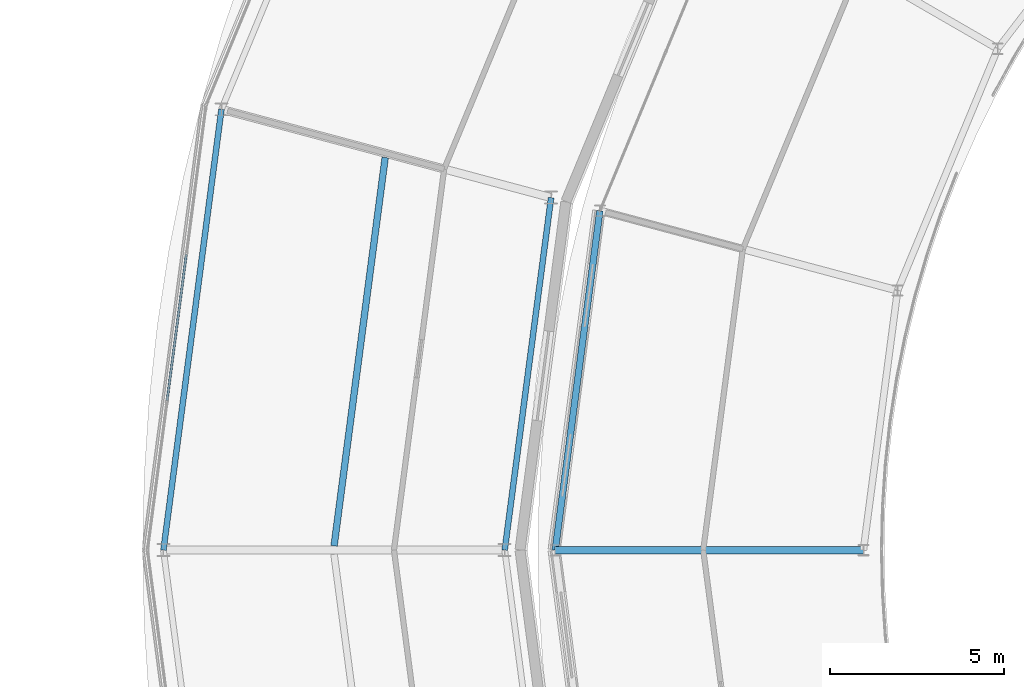
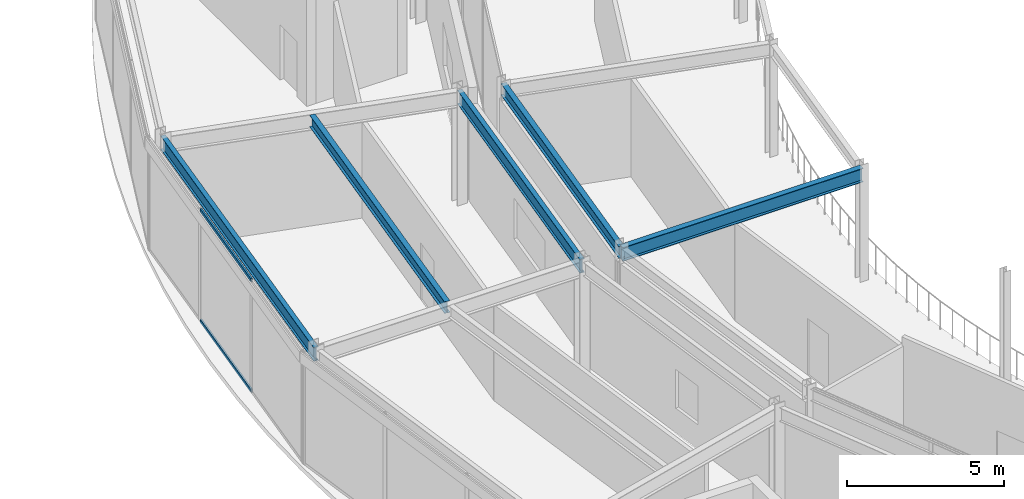
# One storey, part 38 of 157: 5 beams, 2 members, 1 element without a shape of its own.
"""IFC4 building model written with IfcOpenShell, lengths in metres."""

from ifc_helpers import new_model, si_unit, direction, frame, origin, origin_2d, place, context, subcontext, project, spatial, hollow_rectangle, i_section, extrude, material, material_profile, profile_set, type_object, element, aggregate, save


model = new_model("IFC4")

# Units and contexts
model_context = context("Model", 3, precision=1e-05, world=origin(), true_north=direction((0.0, 1.0)))
body_context = subcontext(model_context, "Body", "Model", "MODEL_VIEW")
ifc_project = project(units=[si_unit("LENGTHUNIT", "METRE"), si_unit("AREAUNIT", "SQUARE_METRE"), si_unit("VOLUMEUNIT", "CUBIC_METRE"), si_unit("PLANEANGLEUNIT", "RADIAN"), si_unit("MASSUNIT", "GRAM", prefix="KILO")], contexts=[model_context])

# Site, building, storey
site_placement = place(None, origin())
site = spatial("IfcSite", under=ifc_project, at=site_placement, CompositionType="ELEMENT")
building_placement = place(site_placement, origin())
building = spatial("IfcBuilding", under=site, at=building_placement, Name="Almandine Court Research Institute", CompositionType="ELEMENT")
storey_placement = place(building_placement, frame((0.0, 0.0, 5.25)))
storey = spatial("IfcBuildingStorey", under=building, at=storey_placement, Name="L01", CompositionType="ELEMENT", Elevation=5.25)

# Beams
ifc_material_1 = material(Name="Steel ASTM A992 Grade 50", Category="steel")
ifc_material_profile_1 = material_profile(ifc_material_1, i_section(OverallWidth=0.18994140625, OverallDepth=0.45703125, WebThickness=0.009033203125, FlangeThickness=0.014892578125, at=origin_2d()), Name="W460x74")
ifc_profile_set_1 = profile_set([ifc_material_profile_1], Name="Steel ASTM A992 Grade 50")
beam_type_1 = type_object("IfcBeamType", Name="Beam-B-01", PredefinedType="BEAM", material=ifc_profile_set_1)
beam_1_placement = place(storey_placement, frame((44.468017578125, 67.27197265625, 4.14111328125), z_axis=(-0.130512904889, -0.991446610594, 0.0), x_axis=(0.991446610594, -0.130512904889, 0.0)))
element("IfcBeam", 1, at=beam_1_placement, inside=storey, type_object=beam_type_1, Name="L01 Drum MID Ring Beam 11", PredefinedType="BEAM", context=body_context, shape_type="SweptSolid", body=[
    extrude(i_section(OverallWidth=0.18994140625, OverallDepth=0.45703125, WebThickness=0.009033203125, FlangeThickness=0.014892578125, at=origin_2d()), origin(), (0.0, 0.0, 1.0), 11.248046875),
])
beam_2_placement = place(storey_placement, frame((50.633056640625, 65.7451171875, 4.14111328125), z_axis=(-0.130525188913, -0.991444993461, 0.0), x_axis=(0.991444993461, -0.130525188913, 0.0)))
element("IfcBeam", 2, at=beam_2_placement, inside=storey, type_object=beam_type_1, Name="L01 Atrium Outer Ring Beam", PredefinedType="BEAM", context=body_context, shape_type="SweptSolid", body=[
    extrude(i_section(OverallWidth=0.18994140625, OverallDepth=0.45703125, WebThickness=0.009033203125, FlangeThickness=0.014892578125, at=origin_2d()), origin(), (0.0, 0.0, 1.0), 9.8291015625),
])
ifc_material_profile_2 = material_profile(ifc_material_1, i_section(OverallWidth=0.2109375, OverallDepth=0.5390625, WebThickness=0.011962890625, FlangeThickness=0.01904296875, at=origin_2d()), Name="W530x109")
ifc_profile_set_2 = profile_set([ifc_material_profile_2], Name="Steel ASTM A992 Grade 50")
beam_type_2 = type_object("IfcBeamType", Name="Beam-G-04", PredefinedType="BEAM", material=ifc_profile_set_2)
beam_3_placement = place(storey_placement, frame((58.199951171875, 56.0, 4.10009765625), z_axis=(-1.0, 0.0, 0.0), x_axis=(0.0, -1.0, 0.0)))
element("IfcBeam", 3, at=beam_3_placement, inside=storey, type_object=beam_type_2, Name="L01 Atrium Gallery Radial Girder", PredefinedType="BEAM", context=body_context, shape_type="SweptSolid", body=[
    extrude(i_section(OverallWidth=0.2109375, OverallDepth=0.5390625, WebThickness=0.011962890625, FlangeThickness=0.01904296875, at=origin_2d()), origin(), (0.0, 0.0, 1.0), 8.849853515625),
])
ifc_material_profile_3 = material_profile(ifc_material_1, i_section(OverallWidth=0.166015625, OverallDepth=0.534912109375, WebThickness=0.010009765625, FlangeThickness=0.01708984375, at=origin_2d()), Name="W530x85")
ifc_profile_set_3 = profile_set([ifc_material_profile_3], Name="Steel ASTM A992 Grade 50")
beam_type_3 = type_object("IfcBeamType", Name="Beam-G-05-E", PredefinedType="SPANDREL", material=ifc_profile_set_3)
beam_4_placement = place(storey_placement, frame((49.23193359375, 66.1201171875, 4.10205078125), z_axis=(-0.130496584681, -0.991448758831, 0.0), x_axis=(0.991448758831, -0.130496584681, 0.0)))
element("IfcBeam", 4, at=beam_4_placement, inside=storey, type_object=beam_type_3, Name="L01 Drum IN Ring Beam 11", PredefinedType="SPANDREL", context=body_context, shape_type="SweptSolid", body=[
    extrude(i_section(OverallWidth=0.166015625, OverallDepth=0.534912109375, WebThickness=0.010009765625, FlangeThickness=0.01708984375, at=origin_2d()), origin(), (0.0, 0.0, 1.0), 10.20751953125),
])
beam_5_placement = place(storey_placement, frame((39.76611328125, 68.656005859375, 4.10205078125), z_axis=(-0.130512396599, -0.991446677504, 0.0), x_axis=(0.991446677504, -0.130512396599, 0.0)))
element("IfcBeam", 5, at=beam_5_placement, inside=storey, type_object=beam_type_3, Name="L01 Drum OUT Ring Beam 11", PredefinedType="SPANDREL", context=body_context, shape_type="SweptSolid", body=[
    extrude(i_section(OverallWidth=0.166015625, OverallDepth=0.534912109375, WebThickness=0.010009765625, FlangeThickness=0.01708984375, at=origin_2d()), origin(), (0.0, 0.0, 1.0), 12.76513671875),
])

# Curtain wall, members
ifc_material_2 = material(Name="Unitised Curtain Wall Framing and Solar Glazing", Category="glass")
curtain_wall_type = type_object("IfcCurtainWallType", Name="CW-CWJ-19", PredefinedType="USERDEFINED", material=ifc_material_2)
curtain_wall_placement = place(storey_placement, origin())
curtain_wall = element("IfcCurtainWall", 6, at=curtain_wall_placement, inside=storey, type_object=curtain_wall_type, Name="L01 Stacked-Ring Drum Outer Solar Jali Screen 11", ObjectType="SOLAR JALI SCREEN", PredefinedType="USERDEFINED")
ifc_material_3 = material(Name="Anodised Aluminium AW-6063-T6", Category="aluminium")
ifc_material_profile_4 = material_profile(ifc_material_3, hollow_rectangle(XDim=0.06494140625, YDim=0.1298828125, WallThickness=0.00390625, at=origin_2d()), Name="ALU RHS 65x130x4")
ifc_profile_set_4 = profile_set([ifc_material_profile_4], Name="Anodised Aluminium AW-6063-T6")
member_type = type_object("IfcMemberType", Name="CWTrn-65x130", PredefinedType="NOTDEFINED", material=ifc_profile_set_4)
member_1_placement = place(storey_placement, frame((38.20458984375, 60.2919921875, 0.032470703125), z_axis=(0.130521740045, 0.991445447504, 0.0), x_axis=(-0.991445447504, 0.130521740045, 0.0)))
member_1 = element("IfcMember", 7, at=member_1_placement, type_object=member_type, Name="CWJ-19 transom 2.1", ObjectType="TRANSOM", PredefinedType="USERDEFINED", context=body_context, shape_type="SweptSolid", body=[
    extrude(hollow_rectangle(XDim=0.06494140625, YDim=0.1298828125, WallThickness=0.00390625, at=origin_2d()), origin(), (0.0, 0.0, 1.0), 4.227294921875),
])
member_2_placement = place(storey_placement, frame((38.20458984375, 60.2919921875, 4.33740234375), z_axis=(0.130521740045, 0.991445447504, 0.0), x_axis=(-0.991445447504, 0.130521740045, 0.0)))
member_2 = element("IfcMember", 8, at=member_2_placement, type_object=member_type, Name="CWJ-19 transom 2.2", ObjectType="TRANSOM", PredefinedType="USERDEFINED", context=body_context, shape_type="SweptSolid", body=[
    extrude(hollow_rectangle(XDim=0.06494140625, YDim=0.1298828125, WallThickness=0.00390625, at=origin_2d()), origin(), (0.0, 0.0, 1.0), 4.227294921875),
])
aggregate(curtain_wall, [member_1, member_2])

save(model, "model.ifc")
